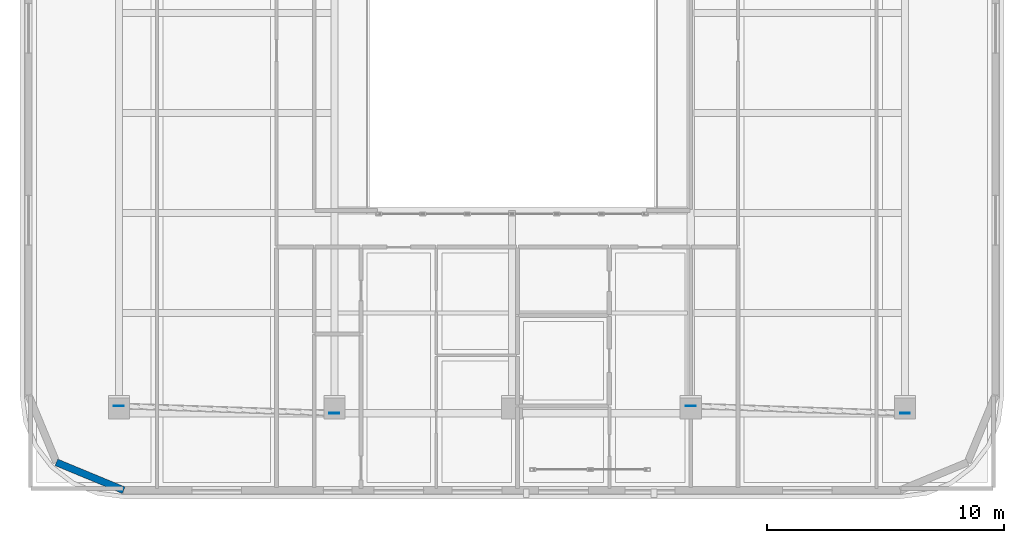
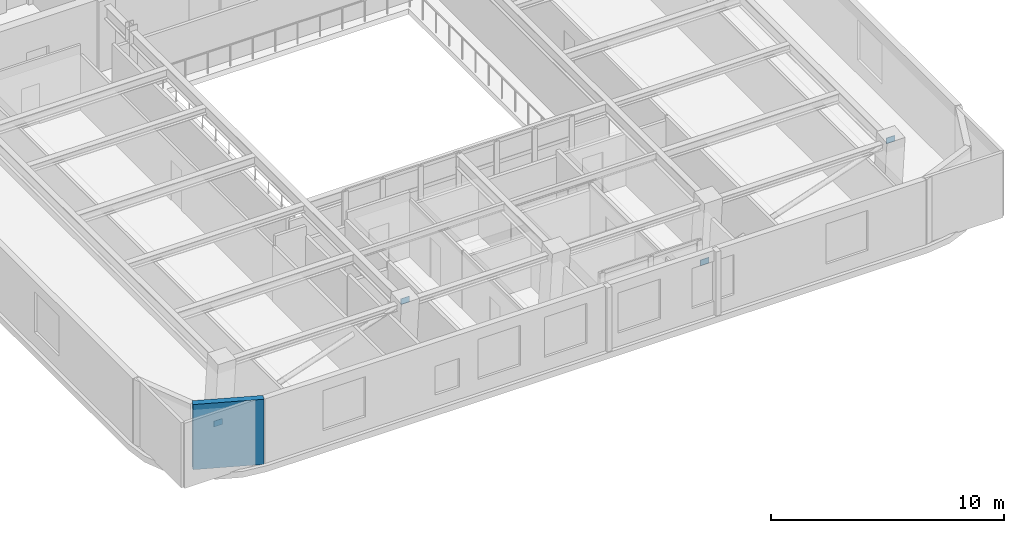
# One storey, part 5 of 12: 4 plates, 1 wall.
"""IFC4 building model written with IfcOpenShell, lengths in metres."""

from ifc_helpers import new_model, si_unit, direction, frame, frame_2d, origin, origin_2d, place, context, subcontext, project, spatial, rectangle, extrude, material, layer, layer_set, type_object, element, save


model = new_model("IFC4")

# Units and contexts
model_context = context("Model", 3, precision=1e-05, world=origin(), true_north=direction((0.0, 1.0)))
body_context = subcontext(model_context, "Body", "Model", "MODEL_VIEW")
ifc_project = project(units=[si_unit("LENGTHUNIT", "METRE"), si_unit("AREAUNIT", "SQUARE_METRE"), si_unit("VOLUMEUNIT", "CUBIC_METRE"), si_unit("PLANEANGLEUNIT", "RADIAN"), si_unit("MASSUNIT", "GRAM", prefix="KILO")], contexts=[model_context])

# Site, building, storey
site_placement = place(None, origin())
site = spatial("IfcSite", under=ifc_project, at=site_placement, CompositionType="ELEMENT")
building_placement = place(site_placement, origin())
building = spatial("IfcBuilding", under=site, at=building_placement, Name="Zarnavel Station Tower", CompositionType="ELEMENT")
storey_placement = place(building_placement, frame((0.0, 0.0, 265.800048828125)))
storey = spatial("IfcBuildingStorey", under=building, at=storey_placement, Name="L72", CompositionType="ELEMENT", Elevation=265.800048828125)

# Plates
ifc_material_1 = material(Name="Steel S460M", Category="steel")
ifc_layer_1 = layer(ifc_material_1, 0.02490234375)
ifc_layer_set_1 = layer_set([ifc_layer_1], Name="GP_GUSSET_25")
plate_type = type_object("IfcPlateType", Name="GP_GUSSET_25", PredefinedType="USERDEFINED", material=ifc_layer_set_1)
for number, where, z_axis, x_axis, name in (
    (1, (12.199951171875, 2.14111328125, -0.14990234375), (0.0, 0.0, 1.0), (1.0, 0.0, 0.0), "L72 Exterior Diagonal Brace End Gusset 1-1"),
    (2, (21.300048828125, 1.831298828125, 3.27001953125), (0.0, 0.0, 1.0), (1.0, 0.0, 0.0), "L72 Exterior Diagonal Brace End Gusset 1-2"),
    (3, (36.35009765625, 2.14111328125, -0.14990234375), (0.0, 0.0, 1.0), (1.0, 0.0, 0.0), "L72 Exterior Diagonal Brace End Gusset 2-1"),
    (4, (45.39990234375, 1.831298828125, 3.27001953125), (0.0, 0.0, 1.0), (1.0, 0.0, 0.0), "L72 Exterior Diagonal Brace End Gusset 2-2"),
):
    element("IfcPlate", number, at=place(storey_placement, frame(where, z_axis=z_axis, x_axis=x_axis)), inside=storey, type_object=plate_type, Name=name, ObjectType="GUSSET_PLATE", PredefinedType="USERDEFINED", context=body_context, shape_type="SweptSolid", body=[
        extrude(rectangle(XDim=0.419921875, YDim=0.02490234375, at=origin_2d()), origin(), (0.0, 0.0, 1.0), 0.300048828125),
    ])

# Wall
ifc_material_2 = material(Name="Precast concrete C45/55 (Dark Basalt Finish)", Category="masonry")
ifc_layer_2 = layer(ifc_material_2, 0.300048828125)
ifc_layer_set_2 = layer_set([ifc_layer_2], Name="EW_BASALT_300")
wall_type = type_object("IfcWallType", Name="EW_BASALT_300", PredefinedType="SOLIDWALL", material=ifc_layer_set_2)
wall_placement = place(storey_placement, frame((12.39990234375, -1.419921875, 0.0), z_axis=(0.0, 0.0, 1.0), x_axis=(-0.92389884758, 0.382636798336, 0.0)))
element("IfcWall", 5, at=wall_placement, inside=storey, type_object=wall_type, Name="L72 Exterior Basalt Masonry Frame Wall 11", PredefinedType="SOLIDWALL", context=body_context, shape_type="SweptSolid", body=[
    extrude(rectangle(XDim=3.07666015625, YDim=0.300048828125, at=frame_2d((1.538330078125, 0.0))), origin(), (0.0, 0.0, 1.0), 3.419921875),
])

save(model, "model.ifc")
